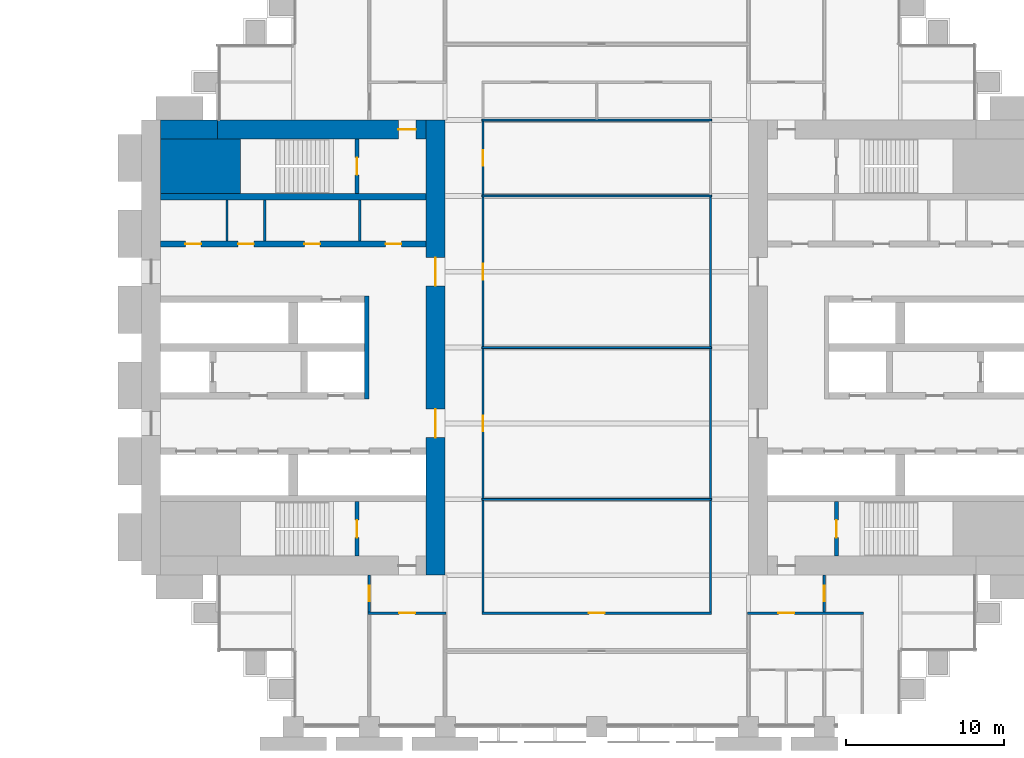
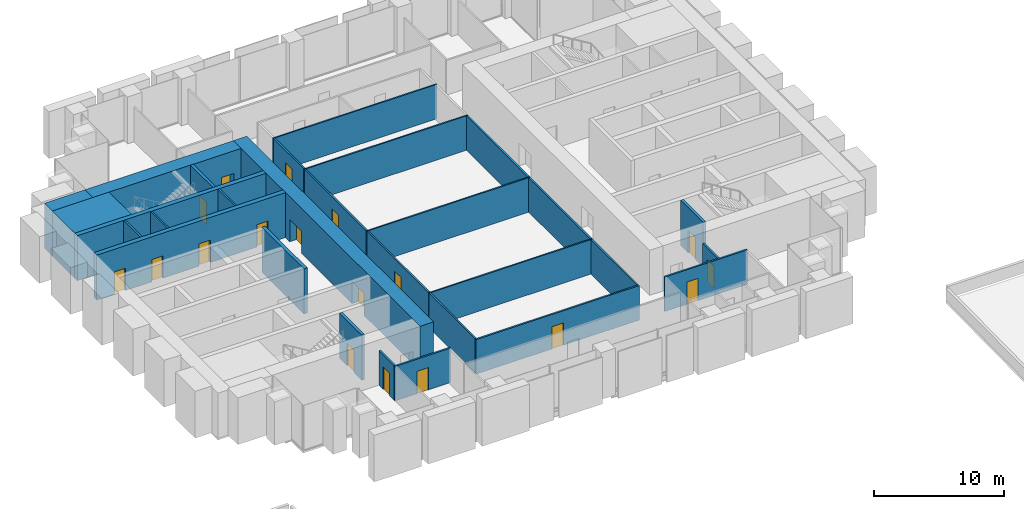
# One storey, part 10 of 14: 29 walls, 18 doors, 18 openings.
"""IFC4 building model written with IfcOpenShell, lengths in metres."""

from ifc_helpers import new_model, si_unit, direction, frame, frame_2d, origin, place, context, subcontext, project, spatial, rectangle, extrude, material, layer, layer_set, type_object, element, fill, save


model = new_model("IFC4")

# Units and contexts
model_context = context("Model", 3, precision=1e-05, world=origin(), true_north=direction((0.0, 1.0)))
body_context = subcontext(model_context, "Body", "Model", "MODEL_VIEW")
ifc_project = project(units=[si_unit("LENGTHUNIT", "METRE"), si_unit("AREAUNIT", "SQUARE_METRE"), si_unit("VOLUMEUNIT", "CUBIC_METRE"), si_unit("PLANEANGLEUNIT", "RADIAN"), si_unit("MASSUNIT", "GRAM", prefix="KILO")], contexts=[model_context])

# Site, building, storey
site_placement = place(None, origin())
site = spatial("IfcSite", under=ifc_project, at=site_placement, CompositionType="ELEMENT")
building_placement = place(site_placement, origin())
building = spatial("IfcBuilding", under=site, at=building_placement, Name="Baori Bourse Tower", CompositionType="ELEMENT")
storey_placement = place(building_placement, frame((0.0, 0.0, 30.199951171875)))
storey = spatial("IfcBuildingStorey", under=building, at=storey_placement, Name="L05", CompositionType="ELEMENT", Elevation=30.199951171875)

# Walls
ifc_material_1 = material(Name="Concrete f'c 70 MPa", Category="concrete")
wall_type_1 = type_object("IfcWallType", Name="Core corner block f'c 70", PredefinedType="SHEAR", material=ifc_material_1)
wall_1_placement = place(storey_placement, frame((1.199951171875, 35.47509765625, 0.0), z_axis=(0.0, 0.0, 1.0), x_axis=(1.0, 0.0, 0.0)))
element("IfcWall", 1, at=wall_1_placement, inside=storey, type_object=wall_type_1, Name="Core wall W22", PredefinedType="SHEAR", context=body_context, shape_type="SweptSolid", body=[
    extrude(rectangle(XDim=5.050048828125, YDim=3.449951171875, at=frame_2d((2.52490234375, 0.0))), origin(), (0.0, 0.0, 1.0), 4.239990234375),
])
ifc_material_2 = material(Name="Blockwork partition", Category="masonry")
ifc_layer_1 = layer(ifc_material_2, 0.14990234375)
ifc_layer_set_1 = layer_set([ifc_layer_1], Name="Core partition 150")
wall_type_2 = type_object("IfcWallType", Name="Core partition 150", PredefinedType="PARTITIONING", material=ifc_layer_set_1)
for number, where, z_axis, x_axis, name in (
    (2, (5.39990234375, 30.75, 0.0), (0.0, 0.0, 1.0), (0.0, 1.0, 0.0), "Partition wall W18"),
    (3, (7.800048828125, 30.75, 0.0), (0.0, 0.0, 1.0), (0.0, 1.0, 0.0), "Partition wall W19"),
    (4, (13.800048828125, 30.75, 0.0), (0.0, 0.0, 1.0), (0.0, 1.0, 0.0), "Partition wall W20"),
):
    element("IfcWall", number, at=place(storey_placement, frame(where, z_axis=z_axis, x_axis=x_axis)), inside=storey, type_object=wall_type_2, Name=name, PredefinedType="PARTITIONING", context=body_context, shape_type="SweptSolid", body=[
        extrude(rectangle(XDim=2.60009765625, YDim=0.14990234375, at=frame_2d((1.300048828125, 0.0))), origin(), (0.0, 0.0, 1.0), 4.239990234375),
    ])

# Wall, openings, doors
ifc_material_3 = material(Name="Concrete f'c 70 MPa", Category="concrete")
ifc_layer_2 = layer(ifc_material_3, 1.199951171875)
ifc_layer_set_2 = layer_set([ifc_layer_2], Name="Core wall 1200 f'c 70")
wall_type_3 = type_object("IfcWallType", Name="Core wall 1200 f'c 70", PredefinedType="SHEAR", material=ifc_layer_set_2)
wall_2_placement = place(storey_placement, frame((18.60009765625, 38.39990234375, 0.0), z_axis=(0.0, 0.0, 1.0), x_axis=(0.0, -1.0, 0.0)))
wall_2 = element("IfcWall", 5, at=wall_2_placement, inside=storey, type_object=wall_type_3, Name="Core wall W04", PredefinedType="SHEAR", context=body_context, shape_type="SweptSolid", body=[
    extrude(rectangle(XDim=28.7998046875, YDim=1.199951171875, at=frame_2d((14.39990234375, 0.0))), origin(), (0.0, 0.0, 1.0), 4.239990234375),
])
opening_1_placement = place(wall_2_placement, frame((18.300048828125, 0.0, 0.0)))
opening_1 = element("IfcOpeningElement", 6, at=opening_1_placement, cuts=wall_2, Name="Opening L05-D107", PredefinedType="OPENING", context=body_context, shape_type="SweptSolid", body=[
    extrude(rectangle(XDim=1.800048828125, YDim=2.10009765625, at=frame_2d((0.89990234375, 1.050048828125))), frame((0.0, 0.60986328125, 0.0), z_axis=(0.0, -1.0, 0.0), x_axis=(1.0, 0.0, 0.0)), (0.0, 0.0, 1.0), 1.219970703125),
])
opening_2_placement = place(wall_2_placement, frame((8.699951171875, 0.0, 0.0)))
opening_2 = element("IfcOpeningElement", 7, at=opening_2_placement, cuts=wall_2, Name="Opening L05-D108", PredefinedType="OPENING", context=body_context, shape_type="SweptSolid", body=[
    extrude(rectangle(XDim=1.800048828125, YDim=2.10009765625, at=frame_2d((0.89990234375, 1.050048828125))), frame((0.0, 0.60986328125, 0.0), z_axis=(0.0, -1.0, 0.0), x_axis=(1.0, 0.0, 0.0)), (0.0, 0.0, 1.0), 1.219970703125),
])
ifc_material_4 = material(Name="Painted steel door", Category="steel")
door_type_1 = type_object("IfcDoorType", Name="Core lobby door 1800", OperationType="DOUBLE_DOOR_SINGLE_SWING", PredefinedType="DOOR", material=ifc_material_4)
door_1_placement = place(opening_1_placement, origin())
door_1 = element("IfcDoor", 8, at=door_1_placement, inside=storey, type_object=door_type_1, Name="Lobby door W L05", OperationType="DOUBLE_DOOR_SINGLE_SWING", OverallHeight=2.10009765625, OverallWidth=1.800048828125, PredefinedType="DOOR", context=body_context, shape_type="SweptSolid", body=[
    extrude(rectangle(XDim=1.800048828125, YDim=2.10009765625, at=frame_2d((0.89990234375, 1.050048828125))), frame((0.0, 0.02490234375, 0.0), z_axis=(0.0, -1.0, 0.0), x_axis=(1.0, 0.0, 0.0)), (0.0, 0.0, 1.0), 0.050048828125),
])
fill(opening_1, door_1)
door_2_placement = place(opening_2_placement, origin())
door_2 = element("IfcDoor", 9, at=door_2_placement, inside=storey, type_object=door_type_1, Name="Lobby door W L05", OperationType="DOUBLE_DOOR_SINGLE_SWING", OverallHeight=2.10009765625, OverallWidth=1.800048828125, PredefinedType="DOOR", context=body_context, shape_type="SweptSolid", body=[
    extrude(rectangle(XDim=1.800048828125, YDim=2.10009765625, at=frame_2d((0.89990234375, 1.050048828125))), frame((0.0, 0.02490234375, 0.0), z_axis=(0.0, -1.0, 0.0), x_axis=(1.0, 0.0, 0.0)), (0.0, 0.0, 1.0), 0.050048828125),
])
fill(opening_2, door_2)

# Wall
wall_3_placement = place(storey_placement, frame((1.199951171875, 37.800048828125, 0.0), z_axis=(0.0, 0.0, 1.0), x_axis=(1.0, 0.0, 0.0)))
element("IfcWall", 10, at=wall_3_placement, inside=storey, type_object=wall_type_3, Name="Core wall W24", PredefinedType="SHEAR", context=body_context, shape_type="SweptSolid", body=[
    extrude(rectangle(XDim=3.60009765625, YDim=1.199951171875, at=frame_2d((1.800048828125, 0.0))), origin(), (0.0, 0.0, 1.0), 4.239990234375),
])

# Wall, opening, door
wall_4_placement = place(storey_placement, frame((4.800048828125, 37.800048828125, 0.0), z_axis=(0.0, 0.0, 1.0), x_axis=(1.0, 0.0, 0.0)))
wall_4 = element("IfcWall", 11, at=wall_4_placement, inside=storey, type_object=wall_type_3, Name="Core wall W25", PredefinedType="SHEAR", context=body_context, shape_type="SweptSolid", body=[
    extrude(rectangle(XDim=13.199951171875, YDim=1.199951171875, at=frame_2d((6.60009765625, 0.0))), origin(), (0.0, 0.0, 1.0), 4.239990234375),
])
opening_3_placement = place(wall_4_placement, frame((11.449951171875, 0.0, 0.0)))
opening_3 = element("IfcOpeningElement", 12, at=opening_3_placement, cuts=wall_4, Name="Opening L05-D104", PredefinedType="OPENING", context=body_context, shape_type="SweptSolid", body=[
    extrude(rectangle(XDim=1.10009765625, YDim=2.10009765625, at=frame_2d((0.550048828125, 1.050048828125))), frame((0.0, 0.60986328125, 0.0), z_axis=(0.0, -1.0, 0.0), x_axis=(1.0, 0.0, 0.0)), (0.0, 0.0, 1.0), 1.219970703125),
])
ifc_material_5 = material(Name="Painted steel door", Category="steel")
door_type_2 = type_object("IfcDoorType", Name="Stair door 1100", OperationType="SINGLE_SWING_LEFT", PredefinedType="DOOR", material=ifc_material_5)
door_3_placement = place(opening_3_placement, origin())
door_3 = element("IfcDoor", 13, at=door_3_placement, inside=storey, type_object=door_type_2, Name="Stair vestibule door B W L05", OperationType="SINGLE_SWING_LEFT", OverallHeight=2.10009765625, OverallWidth=1.10009765625, PredefinedType="DOOR", context=body_context, shape_type="SweptSolid", body=[
    extrude(rectangle(XDim=1.10009765625, YDim=2.10009765625, at=frame_2d((0.550048828125, 1.050048828125))), frame((0.0, 0.02490234375, 0.0), z_axis=(0.0, -1.0, 0.0), x_axis=(1.0, 0.0, 0.0)), (0.0, 0.0, 1.0), 0.050048828125),
])
fill(opening_3, door_3)

ifc_material_6 = material(Name="Gypsum board partition")
ifc_layer_3 = layer(ifc_material_6, 0.14990234375)
ifc_layer_set_3 = layer_set([ifc_layer_3], Name="Corridor partition 150")
wall_type_4 = type_object("IfcWallType", Name="Corridor partition 150", PredefinedType="PARTITIONING", material=ifc_layer_set_3)
wall_5_placement = place(storey_placement, frame((14.324951171875, 7.199951171875, 0.0), z_axis=(0.0, 0.0, 1.0), x_axis=(1.0, 0.0, 0.0)))
wall_5 = element("IfcWall", 14, at=wall_5_placement, inside=storey, type_object=wall_type_4, Name="Partition", PredefinedType="PARTITIONING", context=body_context, shape_type="SweptSolid", body=[
    extrude(rectangle(XDim=4.949951171875, YDim=0.14990234375, at=frame_2d((2.47509765625, 0.0))), origin(), (0.0, 0.0, 1.0), 3.24951171875),
])
opening_4_placement = place(wall_5_placement, frame((1.97509765625, 0.0, 0.0)))
opening_4 = element("IfcOpeningElement", 15, at=opening_4_placement, cuts=wall_5, Name="Opening L05-D05", PredefinedType="OPENING", context=body_context, shape_type="SweptSolid", body=[
    extrude(rectangle(XDim=1.0, YDim=2.10009765625, at=frame_2d((0.5, 1.050048828125))), frame((0.0, 0.0849609375, 0.0), z_axis=(0.0, -1.0, 0.0), x_axis=(1.0, 0.0, 0.0)), (0.0, 0.0, 1.0), 0.169921875),
])
ifc_material_7 = material(Name="Timber door leaf", Category="wood")
door_type_3 = type_object("IfcDoorType", Name="Door 1000 x 2100", OperationType="SINGLE_SWING_LEFT", PredefinedType="DOOR", material=ifc_material_7)
door_4_placement = place(opening_4_placement, origin())
door_4 = element("IfcDoor", 16, at=door_4_placement, inside=storey, type_object=door_type_3, Name="Door", OperationType="SINGLE_SWING_RIGHT", OverallHeight=2.10009765625, OverallWidth=1.0, PredefinedType="DOOR", context=body_context, shape_type="SweptSolid", body=[
    extrude(rectangle(XDim=1.0, YDim=2.10009765625, at=frame_2d((0.5, 1.050048828125))), frame((0.0, 0.02490234375, 0.0), z_axis=(0.0, -1.0, 0.0), x_axis=(1.0, 0.0, 0.0)), (0.0, 0.0, 1.0), 0.050048828125),
])
fill(opening_4, door_4)

wall_6_placement = place(storey_placement, frame((21.52490234375, 7.199951171875, 0.0), z_axis=(0.0, 0.0, 1.0), x_axis=(1.0, 0.0, 0.0)))
wall_6 = element("IfcWall", 17, at=wall_6_placement, inside=storey, type_object=wall_type_4, Name="Partition", PredefinedType="PARTITIONING", context=body_context, shape_type="SweptSolid", body=[
    extrude(rectangle(XDim=14.550048828125, YDim=0.14990234375, at=frame_2d((7.27490234375, 0.0))), origin(), (0.0, 0.0, 1.0), 3.24951171875),
])
opening_5_placement = place(wall_6_placement, frame((6.77490234375, 0.0, 0.0)))
opening_5 = element("IfcOpeningElement", 18, at=opening_5_placement, cuts=wall_6, Name="Opening L05-D06", PredefinedType="OPENING", context=body_context, shape_type="SweptSolid", body=[
    extrude(rectangle(XDim=1.0, YDim=2.10009765625, at=frame_2d((0.5, 1.050048828125))), frame((0.0, 0.0849609375, 0.0), z_axis=(0.0, -1.0, 0.0), x_axis=(1.0, 0.0, 0.0)), (0.0, 0.0, 1.0), 0.169921875),
])
door_5_placement = place(opening_5_placement, origin())
door_5 = element("IfcDoor", 19, at=door_5_placement, inside=storey, type_object=door_type_3, Name="Door", OperationType="SINGLE_SWING_RIGHT", OverallHeight=2.10009765625, OverallWidth=1.0, PredefinedType="DOOR", context=body_context, shape_type="SweptSolid", body=[
    extrude(rectangle(XDim=1.0, YDim=2.10009765625, at=frame_2d((0.5, 1.050048828125))), frame((0.0, 0.02490234375, 0.0), z_axis=(0.0, -1.0, 0.0), x_axis=(1.0, 0.0, 0.0)), (0.0, 0.0, 1.0), 0.050048828125),
])
fill(opening_5, door_5)

wall_7_placement = place(storey_placement, frame((38.324951171875, 7.199951171875, 0.0), z_axis=(0.0, 0.0, 1.0), x_axis=(1.0, 0.0, 0.0)))
wall_7 = element("IfcWall", 20, at=wall_7_placement, inside=storey, type_object=wall_type_4, Name="Partition", PredefinedType="PARTITIONING", context=body_context, shape_type="SweptSolid", body=[
    extrude(rectangle(XDim=7.35009765625, YDim=0.14990234375, at=frame_2d((3.675048828125, 0.0))), origin(), (0.0, 0.0, 1.0), 3.24951171875),
])
opening_6_placement = place(wall_7_placement, frame((1.97509765625, 0.0, 0.0)))
opening_6 = element("IfcOpeningElement", 21, at=opening_6_placement, cuts=wall_7, Name="Opening L05-D07", PredefinedType="OPENING", context=body_context, shape_type="SweptSolid", body=[
    extrude(rectangle(XDim=1.0, YDim=2.10009765625, at=frame_2d((0.5, 1.050048828125))), frame((0.0, 0.0849609375, 0.0), z_axis=(0.0, -1.0, 0.0), x_axis=(1.0, 0.0, 0.0)), (0.0, 0.0, 1.0), 0.169921875),
])
door_6_placement = place(opening_6_placement, origin())
door_6 = element("IfcDoor", 22, at=door_6_placement, inside=storey, type_object=door_type_3, Name="Door", OperationType="SINGLE_SWING_RIGHT", OverallHeight=2.10009765625, OverallWidth=1.0, PredefinedType="DOOR", context=body_context, shape_type="SweptSolid", body=[
    extrude(rectangle(XDim=1.0, YDim=2.10009765625, at=frame_2d((0.5, 1.050048828125))), frame((0.0, 0.02490234375, 0.0), z_axis=(0.0, -1.0, 0.0), x_axis=(1.0, 0.0, 0.0)), (0.0, 0.0, 1.0), 0.050048828125),
])
fill(opening_6, door_6)

wall_8_placement = place(storey_placement, frame((14.39990234375, 7.27490234375, 0.0), z_axis=(0.0, 0.0, 1.0), x_axis=(0.0, 1.0, 0.0)))
wall_8 = element("IfcWall", 23, at=wall_8_placement, inside=storey, type_object=wall_type_4, Name="Partition", PredefinedType="PARTITIONING", context=body_context, shape_type="SweptSolid", body=[
    extrude(rectangle(XDim=2.3251953125, YDim=0.14990234375, at=frame_2d((1.16259765625, 0.0))), origin(), (0.0, 0.0, 1.0), 3.24951171875),
])
opening_7_placement = place(wall_8_placement, frame((0.66259765625, 0.0, 0.0)))
opening_7 = element("IfcOpeningElement", 24, at=opening_7_placement, cuts=wall_8, Name="Opening L05-D13", PredefinedType="OPENING", context=body_context, shape_type="SweptSolid", body=[
    extrude(rectangle(XDim=1.0, YDim=2.10009765625, at=frame_2d((0.5, 1.050048828125))), frame((0.0, 0.0849609375, 0.0), z_axis=(0.0, -1.0, 0.0), x_axis=(1.0, 0.0, 0.0)), (0.0, 0.0, 1.0), 0.169921875),
])
door_7_placement = place(opening_7_placement, origin())
door_7 = element("IfcDoor", 25, at=door_7_placement, inside=storey, type_object=door_type_3, Name="Door", OperationType="SINGLE_SWING_RIGHT", OverallHeight=2.10009765625, OverallWidth=1.0, PredefinedType="DOOR", context=body_context, shape_type="SweptSolid", body=[
    extrude(rectangle(XDim=1.0, YDim=2.10009765625, at=frame_2d((0.5, 1.050048828125))), frame((0.0, 0.02490234375, 0.0), z_axis=(0.0, -1.0, 0.0), x_axis=(1.0, 0.0, 0.0)), (0.0, 0.0, 1.0), 0.050048828125),
])
fill(opening_7, door_7)

# Wall
wall_9_placement = place(storey_placement, frame((21.60009765625, 7.27490234375, 0.0), z_axis=(0.0, 0.0, 1.0), x_axis=(0.0, 1.0, 0.0)))
element("IfcWall", 26, at=wall_9_placement, inside=storey, type_object=wall_type_4, Name="Partition", PredefinedType="PARTITIONING", context=body_context, shape_type="SweptSolid", body=[
    extrude(rectangle(XDim=7.0625, YDim=0.14990234375, at=frame_2d((3.53125, 0.0))), origin(), (0.0, 0.0, 1.0), 3.24951171875),
])

# Wall, opening, door
wall_10_placement = place(storey_placement, frame((21.60009765625, 14.46240234375, 0.0), z_axis=(0.0, 0.0, 1.0), x_axis=(0.0, 1.0, 0.0)))
wall_10 = element("IfcWall", 27, at=wall_10_placement, inside=storey, type_object=wall_type_4, Name="Partition", PredefinedType="PARTITIONING", context=body_context, shape_type="SweptSolid", body=[
    extrude(rectangle(XDim=9.47509765625, YDim=0.14990234375, at=frame_2d((4.737548828125, 0.0))), origin(), (0.0, 0.0, 1.0), 3.24951171875),
])
opening_8_placement = place(wall_10_placement, frame((4.237548828125, 0.0, 0.0)))
opening_8 = element("IfcOpeningElement", 28, at=opening_8_placement, cuts=wall_10, Name="Opening L05-D15", PredefinedType="OPENING", context=body_context, shape_type="SweptSolid", body=[
    extrude(rectangle(XDim=1.0, YDim=2.10009765625, at=frame_2d((0.5, 1.050048828125))), frame((0.0, 0.0849609375, 0.0), z_axis=(0.0, -1.0, 0.0), x_axis=(1.0, 0.0, 0.0)), (0.0, 0.0, 1.0), 0.169921875),
])
door_8_placement = place(opening_8_placement, origin())
door_8 = element("IfcDoor", 29, at=door_8_placement, inside=storey, type_object=door_type_3, Name="Door", OperationType="SINGLE_SWING_LEFT", OverallHeight=2.10009765625, OverallWidth=1.0, PredefinedType="DOOR", context=body_context, shape_type="SweptSolid", body=[
    extrude(rectangle(XDim=1.0, YDim=2.10009765625, at=frame_2d((0.5, 1.050048828125))), frame((0.0, 0.02490234375, 0.0), z_axis=(0.0, -1.0, 0.0), x_axis=(1.0, 0.0, 0.0)), (0.0, 0.0, 1.0), 0.050048828125),
])
fill(opening_8, door_8)

wall_11_placement = place(storey_placement, frame((21.60009765625, 24.0625, 0.0), z_axis=(0.0, 0.0, 1.0), x_axis=(0.0, 1.0, 0.0)))
wall_11 = element("IfcWall", 30, at=wall_11_placement, inside=storey, type_object=wall_type_4, Name="Partition", PredefinedType="PARTITIONING", context=body_context, shape_type="SweptSolid", body=[
    extrude(rectangle(XDim=9.47509765625, YDim=0.14990234375, at=frame_2d((4.737548828125, 0.0))), origin(), (0.0, 0.0, 1.0), 3.24951171875),
])
opening_9_placement = place(wall_11_placement, frame((4.237548828125, 0.0, 0.0)))
opening_9 = element("IfcOpeningElement", 31, at=opening_9_placement, cuts=wall_11, Name="Opening L05-D16", PredefinedType="OPENING", context=body_context, shape_type="SweptSolid", body=[
    extrude(rectangle(XDim=1.0, YDim=2.10009765625, at=frame_2d((0.5, 1.050048828125))), frame((0.0, 0.0849609375, 0.0), z_axis=(0.0, -1.0, 0.0), x_axis=(1.0, 0.0, 0.0)), (0.0, 0.0, 1.0), 0.169921875),
])
door_9_placement = place(opening_9_placement, origin())
door_9 = element("IfcDoor", 32, at=door_9_placement, inside=storey, type_object=door_type_3, Name="Door", OperationType="SINGLE_SWING_LEFT", OverallHeight=2.10009765625, OverallWidth=1.0, PredefinedType="DOOR", context=body_context, shape_type="SweptSolid", body=[
    extrude(rectangle(XDim=1.0, YDim=2.10009765625, at=frame_2d((0.5, 1.050048828125))), frame((0.0, 0.02490234375, 0.0), z_axis=(0.0, -1.0, 0.0), x_axis=(1.0, 0.0, 0.0)), (0.0, 0.0, 1.0), 0.050048828125),
])
fill(opening_9, door_9)

wall_12_placement = place(storey_placement, frame((21.60009765625, 33.66259765625, 0.0), z_axis=(0.0, 0.0, 1.0), x_axis=(0.0, 1.0, 0.0)))
wall_12 = element("IfcWall", 33, at=wall_12_placement, inside=storey, type_object=wall_type_4, Name="Partition", PredefinedType="PARTITIONING", context=body_context, shape_type="SweptSolid", body=[
    extrude(rectangle(XDim=4.6748046875, YDim=0.14990234375, at=frame_2d((2.33740234375, 0.0))), origin(), (0.0, 0.0, 1.0), 3.24951171875),
])
opening_10_placement = place(wall_12_placement, frame((1.83740234375, 0.0, 0.0)))
opening_10 = element("IfcOpeningElement", 34, at=opening_10_placement, cuts=wall_12, Name="Opening L05-D17", PredefinedType="OPENING", context=body_context, shape_type="SweptSolid", body=[
    extrude(rectangle(XDim=1.0, YDim=2.10009765625, at=frame_2d((0.5, 1.050048828125))), frame((0.0, 0.0849609375, 0.0), z_axis=(0.0, -1.0, 0.0), x_axis=(1.0, 0.0, 0.0)), (0.0, 0.0, 1.0), 0.169921875),
])
door_10_placement = place(opening_10_placement, origin())
door_10 = element("IfcDoor", 35, at=door_10_placement, inside=storey, type_object=door_type_3, Name="Door", OperationType="SINGLE_SWING_LEFT", OverallHeight=2.10009765625, OverallWidth=1.0, PredefinedType="DOOR", context=body_context, shape_type="SweptSolid", body=[
    extrude(rectangle(XDim=1.0, YDim=2.10009765625, at=frame_2d((0.5, 1.050048828125))), frame((0.0, 0.02490234375, 0.0), z_axis=(0.0, -1.0, 0.0), x_axis=(1.0, 0.0, 0.0)), (0.0, 0.0, 1.0), 0.050048828125),
])
fill(opening_10, door_10)

# Walls
wall_13_placement = place(storey_placement, frame((36.0, 7.27490234375, 0.0), z_axis=(0.0, 0.0, 1.0), x_axis=(0.0, 1.0, 0.0)))
element("IfcWall", 36, at=wall_13_placement, inside=storey, type_object=wall_type_4, Name="Partition", PredefinedType="PARTITIONING", context=body_context, shape_type="SweptSolid", body=[
    extrude(rectangle(XDim=7.0625, YDim=0.14990234375, at=frame_2d((3.53125, 0.0))), origin(), (0.0, 0.0, 1.0), 3.24951171875),
])
for number, where, z_axis, x_axis, name in (
    (37, (36.0, 14.46240234375, 0.0), (0.0, 0.0, 1.0), (0.0, 1.0, 0.0), "Partition"),
    (38, (36.0, 24.0625, 0.0), (0.0, 0.0, 1.0), (0.0, 1.0, 0.0), "Partition"),
):
    element("IfcWall", number, at=place(storey_placement, frame(where, z_axis=z_axis, x_axis=x_axis)), inside=storey, type_object=wall_type_4, Name=name, PredefinedType="PARTITIONING", context=body_context, shape_type="SweptSolid", body=[
        extrude(rectangle(XDim=9.47509765625, YDim=0.14990234375, at=frame_2d((4.737548828125, 0.0))), origin(), (0.0, 0.0, 1.0), 3.24951171875),
    ])

# Wall, opening, door
wall_14_placement = place(storey_placement, frame((43.199951171875, 7.27490234375, 0.0), z_axis=(0.0, 0.0, 1.0), x_axis=(0.0, 1.0, 0.0)))
wall_14 = element("IfcWall", 39, at=wall_14_placement, inside=storey, type_object=wall_type_4, Name="Partition", PredefinedType="PARTITIONING", context=body_context, shape_type="SweptSolid", body=[
    extrude(rectangle(XDim=2.3251953125, YDim=0.14990234375, at=frame_2d((1.16259765625, 0.0))), origin(), (0.0, 0.0, 1.0), 3.24951171875),
])
opening_11_placement = place(wall_14_placement, frame((0.66259765625, 0.0, 0.0)))
opening_11 = element("IfcOpeningElement", 40, at=opening_11_placement, cuts=wall_14, Name="Opening L05-D18", PredefinedType="OPENING", context=body_context, shape_type="SweptSolid", body=[
    extrude(rectangle(XDim=1.0, YDim=2.10009765625, at=frame_2d((0.5, 1.050048828125))), frame((0.0, 0.0849609375, 0.0), z_axis=(0.0, -1.0, 0.0), x_axis=(1.0, 0.0, 0.0)), (0.0, 0.0, 1.0), 0.169921875),
])
door_11_placement = place(opening_11_placement, origin())
door_11 = element("IfcDoor", 41, at=door_11_placement, inside=storey, type_object=door_type_3, Name="Door", OperationType="SINGLE_SWING_LEFT", OverallHeight=2.10009765625, OverallWidth=1.0, PredefinedType="DOOR", context=body_context, shape_type="SweptSolid", body=[
    extrude(rectangle(XDim=1.0, YDim=2.10009765625, at=frame_2d((0.5, 1.050048828125))), frame((0.0, 0.02490234375, 0.0), z_axis=(0.0, -1.0, 0.0), x_axis=(1.0, 0.0, 0.0)), (0.0, 0.0, 1.0), 0.050048828125),
])
fill(opening_11, door_11)

# Walls
ifc_material_8 = material(Name="Gypsum board partition")
ifc_layer_4 = layer(ifc_material_8, 0.125)
ifc_layer_set_4 = layer_set([ifc_layer_4], Name="Partition 125")
wall_type_5 = type_object("IfcWallType", Name="Partition 125", PredefinedType="PARTITIONING", material=ifc_layer_set_4)
for number, where, z_axis, x_axis, name in (
    (42, (21.52490234375, 14.39990234375, 0.0), (0.0, 0.0, 1.0), (1.0, 0.0, 0.0), "Partition"),
    (43, (21.52490234375, 24.0, 0.0), (0.0, 0.0, 1.0), (1.0, 0.0, 0.0), "Partition"),
    (44, (21.52490234375, 33.60009765625, 0.0), (0.0, 0.0, 1.0), (1.0, 0.0, 0.0), "Partition"),
    (45, (21.52490234375, 38.39990234375, 0.0), (0.0, 0.0, 1.0), (1.0, 0.0, 0.0), "Partition"),
):
    element("IfcWall", number, at=place(storey_placement, frame(where, z_axis=z_axis, x_axis=x_axis)), inside=storey, type_object=wall_type_5, Name=name, PredefinedType="PARTITIONING", context=body_context, shape_type="SweptSolid", body=[
        extrude(rectangle(XDim=14.550048828125, YDim=0.125, at=frame_2d((7.27490234375, 0.0))), origin(), (0.0, 0.0, 1.0), 3.24951171875),
    ])

# Wall, opening, door
ifc_material_9 = material(Name="Concrete f'c 70 MPa", Category="concrete")
ifc_layer_5 = layer(ifc_material_9, 0.25)
ifc_layer_set_5 = layer_set([ifc_layer_5], Name="Shaft wall 250 f'c 70")
wall_type_6 = type_object("IfcWallType", Name="Shaft wall 250 f'c 70", PredefinedType="SHEAR", material=ifc_layer_set_5)
wall_15_placement = place(storey_placement, frame((13.625, 10.800048828125, 0.0), z_axis=(0.0, 0.0, 1.0), x_axis=(0.0, 1.0, 0.0)))
wall_15 = element("IfcWall", 46, at=wall_15_placement, inside=storey, type_object=wall_type_6, Name="Core wall W06", PredefinedType="SHEAR", context=body_context, shape_type="SweptSolid", body=[
    extrude(rectangle(XDim=3.449951171875, YDim=0.25, at=frame_2d((1.72509765625, 0.0))), origin(), (0.0, 0.0, 1.0), 4.239990234375),
])
opening_12_placement = place(wall_15_placement, frame((1.175048828125, 0.0, 0.0)))
opening_12 = element("IfcOpeningElement", 47, at=opening_12_placement, cuts=wall_15, Name="Opening L05-D101", PredefinedType="OPENING", context=body_context, shape_type="SweptSolid", body=[
    extrude(rectangle(XDim=1.10009765625, YDim=2.10009765625, at=frame_2d((0.550048828125, 1.050048828125))), frame((0.0, 0.135009765625, 0.0), z_axis=(0.0, -1.0, 0.0), x_axis=(1.0, 0.0, 0.0)), (0.0, 0.0, 1.0), 0.27001953125),
])
door_12_placement = place(opening_12_placement, origin())
door_12 = element("IfcDoor", 48, at=door_12_placement, inside=storey, type_object=door_type_2, Name="Stair door A W L05", OperationType="SINGLE_SWING_LEFT", OverallHeight=2.10009765625, OverallWidth=1.10009765625, PredefinedType="DOOR", context=body_context, shape_type="SweptSolid", body=[
    extrude(rectangle(XDim=1.10009765625, YDim=2.10009765625, at=frame_2d((0.550048828125, 1.050048828125))), frame((0.0, 0.02490234375, 0.0), z_axis=(0.0, -1.0, 0.0), x_axis=(1.0, 0.0, 0.0)), (0.0, 0.0, 1.0), 0.050048828125),
])
fill(opening_12, door_12)

wall_16_placement = place(storey_placement, frame((13.625, 33.75, 0.0), z_axis=(0.0, 0.0, 1.0), x_axis=(0.0, 1.0, 0.0)))
wall_16 = element("IfcWall", 49, at=wall_16_placement, inside=storey, type_object=wall_type_6, Name="Core wall W23", PredefinedType="SHEAR", context=body_context, shape_type="SweptSolid", body=[
    extrude(rectangle(XDim=3.449951171875, YDim=0.25, at=frame_2d((1.72509765625, 0.0))), origin(), (0.0, 0.0, 1.0), 4.239990234375),
])
opening_13_placement = place(wall_16_placement, frame((1.175048828125, 0.0, 0.0)))
opening_13 = element("IfcOpeningElement", 50, at=opening_13_placement, cuts=wall_16, Name="Opening L05-D103", PredefinedType="OPENING", context=body_context, shape_type="SweptSolid", body=[
    extrude(rectangle(XDim=1.10009765625, YDim=2.10009765625, at=frame_2d((0.550048828125, 1.050048828125))), frame((0.0, 0.135009765625, 0.0), z_axis=(0.0, -1.0, 0.0), x_axis=(1.0, 0.0, 0.0)), (0.0, 0.0, 1.0), 0.27001953125),
])
door_13_placement = place(opening_13_placement, origin())
door_13 = element("IfcDoor", 51, at=door_13_placement, inside=storey, type_object=door_type_2, Name="Stair door B W L05", OperationType="SINGLE_SWING_LEFT", OverallHeight=2.10009765625, OverallWidth=1.10009765625, PredefinedType="DOOR", context=body_context, shape_type="SweptSolid", body=[
    extrude(rectangle(XDim=1.10009765625, YDim=2.10009765625, at=frame_2d((0.550048828125, 1.050048828125))), frame((0.0, 0.02490234375, 0.0), z_axis=(0.0, -1.0, 0.0), x_axis=(1.0, 0.0, 0.0)), (0.0, 0.0, 1.0), 0.050048828125),
])
fill(opening_13, door_13)

wall_17_placement = place(storey_placement, frame((43.97509765625, 10.800048828125, 0.0), z_axis=(0.0, 0.0, 1.0), x_axis=(0.0, 1.0, 0.0)))
wall_17 = element("IfcWall", 52, at=wall_17_placement, inside=storey, type_object=wall_type_6, Name="Core wall E06", PredefinedType="SHEAR", context=body_context, shape_type="SweptSolid", body=[
    extrude(rectangle(XDim=3.449951171875, YDim=0.25, at=frame_2d((1.72509765625, 0.0))), origin(), (0.0, 0.0, 1.0), 4.239990234375),
])
opening_14_placement = place(wall_17_placement, frame((1.175048828125, 0.0, 0.0)))
opening_14 = element("IfcOpeningElement", 53, at=opening_14_placement, cuts=wall_17, Name="Opening L05-D201", PredefinedType="OPENING", context=body_context, shape_type="SweptSolid", body=[
    extrude(rectangle(XDim=1.10009765625, YDim=2.10009765625, at=frame_2d((0.550048828125, 1.050048828125))), frame((0.0, 0.135009765625, 0.0), z_axis=(0.0, -1.0, 0.0), x_axis=(1.0, 0.0, 0.0)), (0.0, 0.0, 1.0), 0.27001953125),
])
door_14_placement = place(opening_14_placement, origin())
door_14 = element("IfcDoor", 54, at=door_14_placement, inside=storey, type_object=door_type_2, Name="Stair door A E L05", OperationType="SINGLE_SWING_LEFT", OverallHeight=2.10009765625, OverallWidth=1.10009765625, PredefinedType="DOOR", context=body_context, shape_type="SweptSolid", body=[
    extrude(rectangle(XDim=1.10009765625, YDim=2.10009765625, at=frame_2d((0.550048828125, 1.050048828125))), frame((0.0, 0.02490234375, 0.0), z_axis=(0.0, -1.0, 0.0), x_axis=(1.0, 0.0, 0.0)), (0.0, 0.0, 1.0), 0.050048828125),
])
fill(opening_14, door_14)

# Wall
ifc_material_10 = material(Name="Concrete f'c 70 MPa", Category="concrete")
ifc_layer_6 = layer(ifc_material_10, 0.300048828125)
ifc_layer_set_6 = layer_set([ifc_layer_6], Name="Shaft wall 300 f'c 70")
wall_type_7 = type_object("IfcWallType", Name="Shaft wall 300 f'c 70", PredefinedType="SHEAR", material=ifc_layer_set_6)
wall_18_placement = place(storey_placement, frame((14.25, 20.75, 0.0), z_axis=(0.0, 0.0, 1.0), x_axis=(0.0, 1.0, 0.0)))
element("IfcWall", 55, at=wall_18_placement, inside=storey, type_object=wall_type_7, Name="Core wall W11", PredefinedType="SHEAR", context=body_context, shape_type="SweptSolid", body=[
    extrude(rectangle(XDim=6.5, YDim=0.300048828125, at=frame_2d((3.25, 0.0))), origin(), (0.0, 0.0, 1.0), 4.239990234375),
])

# Wall, openings, doors
ifc_material_11 = material(Name="Concrete f'c 70 MPa", Category="concrete")
ifc_layer_7 = layer(ifc_material_11, 0.39990234375)
ifc_layer_set_7 = layer_set([ifc_layer_7], Name="Shaft wall 400 f'c 70")
wall_type_8 = type_object("IfcWallType", Name="Shaft wall 400 f'c 70", PredefinedType="SHEAR", material=ifc_layer_set_7)
wall_19_placement = place(storey_placement, frame((1.199951171875, 30.550048828125, 0.0), z_axis=(0.0, 0.0, 1.0), x_axis=(1.0, 0.0, 0.0)))
wall_19 = element("IfcWall", 56, at=wall_19_placement, inside=storey, type_object=wall_type_8, Name="Core wall W17", PredefinedType="SHEAR", context=body_context, shape_type="SweptSolid", body=[
    extrude(rectangle(XDim=16.800048828125, YDim=0.39990234375, at=frame_2d((8.39990234375, 0.0))), origin(), (0.0, 0.0, 1.0), 4.239990234375),
])
opening_15_placement = place(wall_19_placement, frame((1.5625, 0.0, 0.0)))
opening_15 = element("IfcOpeningElement", 57, at=opening_15_placement, cuts=wall_19, Name="Opening L05-D109", PredefinedType="OPENING", context=body_context, shape_type="SweptSolid", body=[
    extrude(rectangle(XDim=1.0, YDim=2.10009765625, at=frame_2d((0.5, 1.050048828125))), frame((0.0, 0.2099609375, 0.0), z_axis=(0.0, -1.0, 0.0), x_axis=(1.0, 0.0, 0.0)), (0.0, 0.0, 1.0), 0.419921875),
])
opening_16_placement = place(wall_19_placement, frame((4.89990234375, 0.0, 0.0)))
opening_16 = element("IfcOpeningElement", 58, at=opening_16_placement, cuts=wall_19, Name="Opening L05-D110", PredefinedType="OPENING", context=body_context, shape_type="SweptSolid", body=[
    extrude(rectangle(XDim=1.0, YDim=2.10009765625, at=frame_2d((0.5, 1.050048828125))), frame((0.0, 0.2099609375, 0.0), z_axis=(0.0, -1.0, 0.0), x_axis=(1.0, 0.0, 0.0)), (0.0, 0.0, 1.0), 0.419921875),
])
opening_17_placement = place(wall_19_placement, frame((9.10009765625, 0.0, 0.0)))
opening_17 = element("IfcOpeningElement", 59, at=opening_17_placement, cuts=wall_19, Name="Opening L05-D111", PredefinedType="OPENING", context=body_context, shape_type="SweptSolid", body=[
    extrude(rectangle(XDim=1.0, YDim=2.10009765625, at=frame_2d((0.5, 1.050048828125))), frame((0.0, 0.2099609375, 0.0), z_axis=(0.0, -1.0, 0.0), x_axis=(1.0, 0.0, 0.0)), (0.0, 0.0, 1.0), 0.419921875),
])
opening_18_placement = place(wall_19_placement, frame((14.237548828125, 0.0, 0.0)))
opening_18 = element("IfcOpeningElement", 60, at=opening_18_placement, cuts=wall_19, Name="Opening L05-D112", PredefinedType="OPENING", context=body_context, shape_type="SweptSolid", body=[
    extrude(rectangle(XDim=1.0, YDim=2.10009765625, at=frame_2d((0.5, 1.050048828125))), frame((0.0, 0.2099609375, 0.0), z_axis=(0.0, -1.0, 0.0), x_axis=(1.0, 0.0, 0.0)), (0.0, 0.0, 1.0), 0.419921875),
])
ifc_material_12 = material(Name="Painted steel door", Category="steel")
door_type_4 = type_object("IfcDoorType", Name="Core door 1000", OperationType="SINGLE_SWING_LEFT", PredefinedType="DOOR", material=ifc_material_12)
door_15_placement = place(opening_15_placement, origin())
door_15 = element("IfcDoor", 61, at=door_15_placement, inside=storey, type_object=door_type_4, Name="Women'S Wc door W L05", OperationType="SINGLE_SWING_LEFT", OverallHeight=2.10009765625, OverallWidth=1.0, PredefinedType="DOOR", context=body_context, shape_type="SweptSolid", body=[
    extrude(rectangle(XDim=1.0, YDim=2.10009765625, at=frame_2d((0.5, 1.050048828125))), frame((0.0, 0.02490234375, 0.0), z_axis=(0.0, -1.0, 0.0), x_axis=(1.0, 0.0, 0.0)), (0.0, 0.0, 1.0), 0.050048828125),
])
fill(opening_15, door_15)
door_16_placement = place(opening_16_placement, origin())
door_16 = element("IfcDoor", 62, at=door_16_placement, inside=storey, type_object=door_type_4, Name="Pantry door W L05", OperationType="SINGLE_SWING_LEFT", OverallHeight=2.10009765625, OverallWidth=1.0, PredefinedType="DOOR", context=body_context, shape_type="SweptSolid", body=[
    extrude(rectangle(XDim=1.0, YDim=2.10009765625, at=frame_2d((0.5, 1.050048828125))), frame((0.0, 0.02490234375, 0.0), z_axis=(0.0, -1.0, 0.0), x_axis=(1.0, 0.0, 0.0)), (0.0, 0.0, 1.0), 0.050048828125),
])
fill(opening_16, door_16)
door_17_placement = place(opening_17_placement, origin())
door_17 = element("IfcDoor", 63, at=door_17_placement, inside=storey, type_object=door_type_4, Name="Men'S Wc door W L05", OperationType="SINGLE_SWING_LEFT", OverallHeight=2.10009765625, OverallWidth=1.0, PredefinedType="DOOR", context=body_context, shape_type="SweptSolid", body=[
    extrude(rectangle(XDim=1.0, YDim=2.10009765625, at=frame_2d((0.5, 1.050048828125))), frame((0.0, 0.02490234375, 0.0), z_axis=(0.0, -1.0, 0.0), x_axis=(1.0, 0.0, 0.0)), (0.0, 0.0, 1.0), 0.050048828125),
])
fill(opening_17, door_17)
door_18_placement = place(opening_18_placement, origin())
door_18 = element("IfcDoor", 64, at=door_18_placement, inside=storey, type_object=door_type_4, Name="Accessible Wc door W L05", OperationType="SINGLE_SWING_LEFT", OverallHeight=2.10009765625, OverallWidth=1.0, PredefinedType="DOOR", context=body_context, shape_type="SweptSolid", body=[
    extrude(rectangle(XDim=1.0, YDim=2.10009765625, at=frame_2d((0.5, 1.050048828125))), frame((0.0, 0.02490234375, 0.0), z_axis=(0.0, -1.0, 0.0), x_axis=(1.0, 0.0, 0.0)), (0.0, 0.0, 1.0), 0.050048828125),
])
fill(opening_18, door_18)

# Wall
wall_20_placement = place(storey_placement, frame((1.199951171875, 33.550048828125, 0.0), z_axis=(0.0, 0.0, 1.0), x_axis=(1.0, 0.0, 0.0)))
element("IfcWall", 65, at=wall_20_placement, inside=storey, type_object=wall_type_8, Name="Core wall W21", PredefinedType="SHEAR", context=body_context, shape_type="SweptSolid", body=[
    extrude(rectangle(XDim=16.800048828125, YDim=0.39990234375, at=frame_2d((8.39990234375, 0.0))), origin(), (0.0, 0.0, 1.0), 4.239990234375),
])

save(model, "model.ifc")
